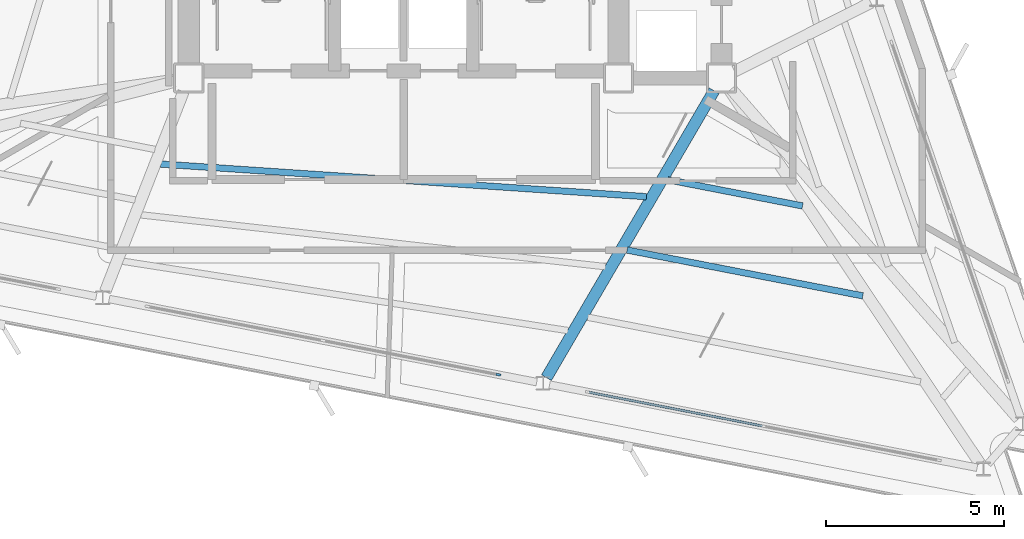
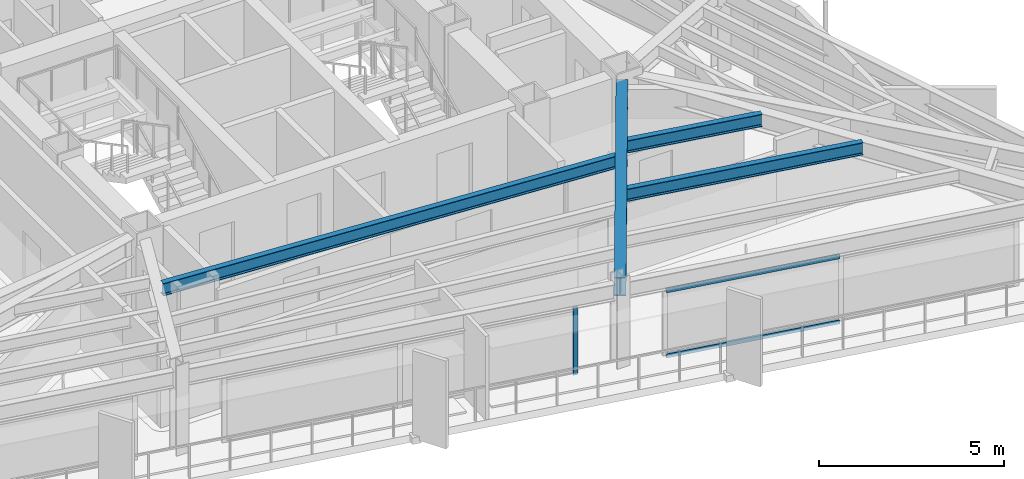
# One storey, part 3 of 13: 4 beams, 3 members, 2 elements without a shape of their own.
"""IFC4 building model written with IfcOpenShell, lengths in metres."""

from ifc_helpers import new_model, si_unit, direction, frame, origin, origin_2d, place, context, subcontext, project, spatial, rectangle, i_section, extrude, material, layer, layer_set, material_profile, profile_set, type_object, element, aggregate, save


model = new_model("IFC4")

# Units and contexts
model_context = context("Model", 3, precision=1e-05, world=origin(), true_north=direction((0.0, 1.0)))
body_context = subcontext(model_context, "Body", "Model", "MODEL_VIEW")
ifc_project = project(units=[si_unit("LENGTHUNIT", "METRE"), si_unit("AREAUNIT", "SQUARE_METRE"), si_unit("VOLUMEUNIT", "CUBIC_METRE"), si_unit("PLANEANGLEUNIT", "RADIAN"), si_unit("MASSUNIT", "GRAM", prefix="KILO")], contexts=[model_context])

# Site, building, storey
site_placement = place(None, origin())
site = spatial("IfcSite", under=ifc_project, at=site_placement, CompositionType="ELEMENT")
building_placement = place(site_placement, origin())
building = spatial("IfcBuilding", under=site, at=building_placement, Name="Rocaltana Carrier Exchange", CompositionType="ELEMENT")
storey_placement = place(building_placement, frame((0.0, 0.0, 165.43994140625)))
storey = spatial("IfcBuildingStorey", under=building, at=storey_placement, Name="L52", CompositionType="ELEMENT", Elevation=165.43994140625)

# Curtain wall, member
ifc_material_1 = material(Name="Aluminium 6063-T6", Category="aluminium")
ifc_layer = layer(ifc_material_1, 0.135009765625)
ifc_layer_set = layer_set([ifc_layer], Name="Aluminium 6063-T6")
curtain_wall_type = type_object("IfcCurtainWallType", Name="Upper-Mid Acoustic Curtain Wall CW-04", PredefinedType="NOTDEFINED", material=ifc_layer_set)
curtain_wall_1_placement = place(storey_placement, origin())
curtain_wall_1 = element("IfcCurtainWall", 1, at=curtain_wall_1_placement, inside=storey, type_object=curtain_wall_type, Name="L52 CW-04 Run CW-L52-F3S2", PredefinedType="NOTDEFINED")
ifc_material_2 = material(Name="Aluminium 6063-T6", Category="aluminium")
ifc_material_profile_1 = material_profile(ifc_material_2, rectangle(XDim=0.06494140625, YDim=0.135009765625, at=origin_2d()), Name="AL-65X135")
ifc_profile_set_1 = profile_set([ifc_material_profile_1], Name="Aluminium 6063-T6")
member_type_1 = type_object("IfcMemberType", Name="CW-04 Mullion AL-65X135", PredefinedType="MULLION", material=ifc_profile_set_1)
member_1_placement = place(storey_placement, frame((2.66845703125, -12.6552734375, 0.0), z_axis=(0.0, 0.0, 1.0), x_axis=(0.190814718784, 0.981626070913, 0.0)))
member_1 = element("IfcMember", 2, at=member_1_placement, type_object=member_type_1, Name="CW-04 mullion 3", PredefinedType="MULLION", context=body_context, shape_type="SweptSolid", body=[
    extrude(rectangle(XDim=0.06494140625, YDim=0.135009765625, at=origin_2d()), origin(), (0.0, 0.0, 1.0), 2.218017578125),
])
aggregate(curtain_wall_1, [member_1])

# Curtain wall, members
curtain_wall_2_placement = place(storey_placement, origin())
curtain_wall_2 = element("IfcCurtainWall", 3, at=curtain_wall_2_placement, inside=storey, type_object=curtain_wall_type, Name="L52 CW-04 Run CW-L52-F3S3", PredefinedType="NOTDEFINED")
ifc_material_3 = material(Name="Aluminium 6063-T6", Category="aluminium")
ifc_material_profile_2 = material_profile(ifc_material_3, rectangle(XDim=0.06494140625, YDim=0.135009765625, at=origin_2d()), Name="AL-65X135")
ifc_profile_set_2 = profile_set([ifc_material_profile_2], Name="Aluminium 6063-T6")
member_type_2 = type_object("IfcMemberType", Name="CW-04 Transom AL-65X135", PredefinedType="USERDEFINED", material=ifc_profile_set_2)
member_2_placement = place(storey_placement, frame((5.21826171875, -13.15087890625, 0.032470703125), z_axis=(0.981624593621, -0.1908223184, 0.0), x_axis=(0.1908223184, 0.981624593621, 0.0)))
member_2 = element("IfcMember", 4, at=member_2_placement, type_object=member_type_2, Name="CW-04 transom 1.1", ObjectType="TRANSOM", PredefinedType="USERDEFINED", context=body_context, shape_type="SweptSolid", body=[
    extrude(rectangle(XDim=0.06494140625, YDim=0.135009765625, at=origin_2d()), origin(), (0.0, 0.0, 1.0), 4.96923828125),
])
member_3_placement = place(storey_placement, frame((5.21826171875, -13.15087890625, 2.185546875), z_axis=(0.981624593621, -0.1908223184, 0.0), x_axis=(0.1908223184, 0.981624593621, 0.0)))
member_3 = element("IfcMember", 5, at=member_3_placement, type_object=member_type_2, Name="CW-04 transom 1.2", ObjectType="TRANSOM", PredefinedType="USERDEFINED", context=body_context, shape_type="SweptSolid", body=[
    extrude(rectangle(XDim=0.06494140625, YDim=0.135009765625, at=origin_2d()), origin(), (0.0, 0.0, 1.0), 4.96923828125),
])
aggregate(curtain_wall_2, [member_2, member_3])

# Beams
ifc_material_4 = material(Name="Steel S355", Category="steel")
ifc_material_profile_3 = material_profile(ifc_material_4, i_section(OverallWidth=0.179931640625, OverallDepth=0.4130859375, WebThickness=0.009765625, FlangeThickness=0.01611328125, FilletRadius=0.012939453125, at=origin_2d()), Name="W16X50")
ifc_profile_set_3 = profile_set([ifc_material_profile_3], Name="Steel S355")
beam_type_1 = type_object("IfcBeamType", Name="Floor Joist W16X50", PredefinedType="JOIST", material=ifc_profile_set_3)
beam_1_placement = place(storey_placement, frame((-6.839599609375, -6.724365234375, 2.58154296875), z_axis=(0.997748594569, -0.067065207337, 0.0), x_axis=(0.067065207337, 0.997748594569, 0.0)))
element("IfcBeam", 6, at=beam_1_placement, inside=storey, type_object=beam_type_1, Name="FJ-L52-10-1", PredefinedType="JOIST", context=body_context, shape_type="SweptSolid", body=[
    extrude(i_section(OverallWidth=0.179931640625, OverallDepth=0.4130859375, WebThickness=0.009765625, FlangeThickness=0.01611328125, FilletRadius=0.012939453125, at=origin_2d()), origin(), (0.0, 0.0, 1.0), 13.705810546875),
])
beam_2_placement = place(storey_placement, frame((7.44580078125, -7.167724609375, 2.58154296875), z_axis=(0.981618354608, -0.190854410211, 0.0), x_axis=(0.190854410211, 0.981618354608, 0.0)))
element("IfcBeam", 7, at=beam_2_placement, inside=storey, type_object=beam_type_1, Name="FJ-L52-11-1", PredefinedType="JOIST", context=body_context, shape_type="SweptSolid", body=[
    extrude(i_section(OverallWidth=0.179931640625, OverallDepth=0.4130859375, WebThickness=0.009765625, FlangeThickness=0.01611328125, FilletRadius=0.012939453125, at=origin_2d()), origin(), (0.0, 0.0, 1.0), 3.856689453125),
])
beam_3_placement = place(storey_placement, frame((6.29052734375, -9.145751953125, 2.58154296875), z_axis=(0.981629854201, -0.190795255028, 0.0), x_axis=(0.190795255028, 0.981629854201, 0.0)))
element("IfcBeam", 8, at=beam_3_placement, inside=storey, type_object=beam_type_1, Name="FJ-L52-11-2", PredefinedType="JOIST", context=body_context, shape_type="SweptSolid", body=[
    extrude(i_section(OverallWidth=0.179931640625, OverallDepth=0.4130859375, WebThickness=0.009765625, FlangeThickness=0.01611328125, FilletRadius=0.012939453125, at=origin_2d()), origin(), (0.0, 0.0, 1.0), 6.7626953125),
])
ifc_material_5 = material(Name="Steel S355", Category="steel")
ifc_material_profile_4 = material_profile(ifc_material_5, i_section(OverallWidth=0.323974609375, OverallDepth=0.611083984375, WebThickness=0.0126953125, FlangeThickness=0.01904296875, FilletRadius=0.01611328125, at=origin_2d()), Name="W24X104")
ifc_profile_set_4 = profile_set([ifc_material_profile_4], Name="Steel S355")
beam_type_2 = type_object("IfcBeamType", Name="Radial Girder W24X104", PredefinedType="BEAM", material=ifc_profile_set_4)
beam_4_placement = place(storey_placement, frame((8.73974609375, -4.66015625, 2.482666015625), z_axis=(-0.504321970508, -0.863515691845, 0.0), x_axis=(0.863515691845, -0.504321970508, 0.0)))
element("IfcBeam", 9, at=beam_4_placement, inside=storey, type_object=beam_type_2, Name="RG-L52-11", PredefinedType="BEAM", context=body_context, shape_type="SweptSolid", body=[
    extrude(i_section(OverallWidth=0.323974609375, OverallDepth=0.611083984375, WebThickness=0.0126953125, FlangeThickness=0.01904296875, FilletRadius=0.01611328125, at=origin_2d()), origin(), (0.0, 0.0, 1.0), 9.356689453125),
])

save(model, "model.ifc")
